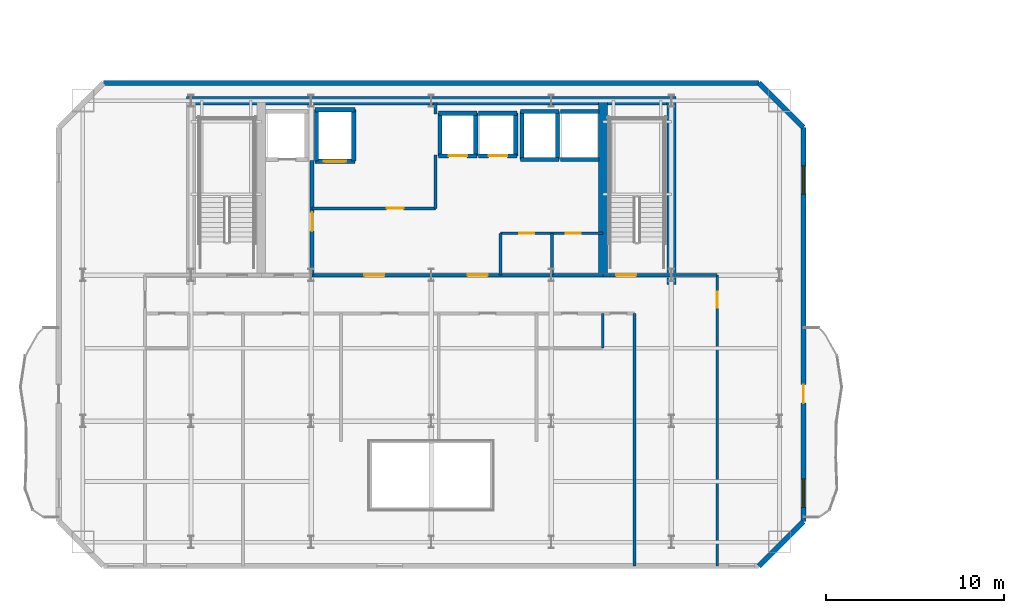
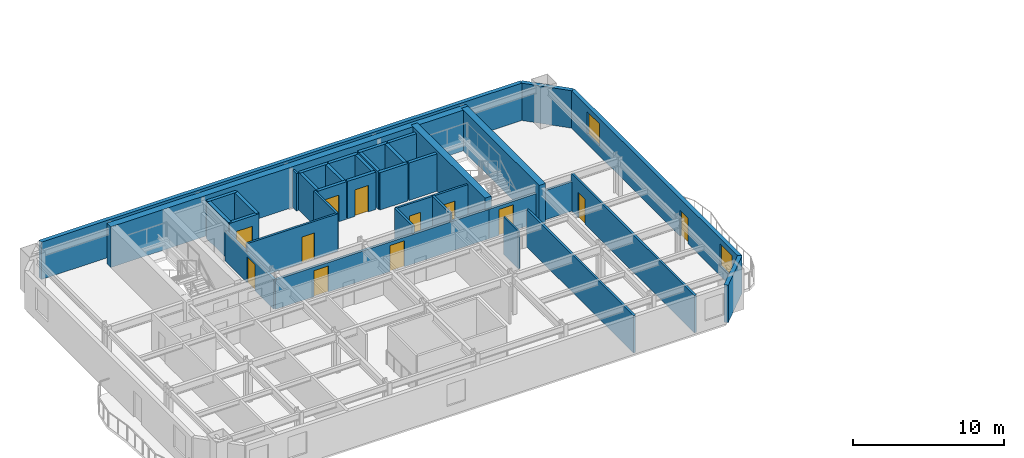
# One storey, part 6 of 13: 37 walls, 12 doors, 2 windows, 14 openings.
"""IFC4 building model written with IfcOpenShell, lengths in metres."""

from ifc_helpers import new_model, si_unit, direction, frame, frame_2d, origin, place, context, subcontext, project, spatial, rectangle, extrude, material, layer, layer_set, type_object, element, fill, save


model = new_model("IFC4")

# Units and contexts
model_context = context("Model", 3, precision=1e-05, world=origin(), true_north=direction((0.0, 1.0)))
body_context = subcontext(model_context, "Body", "Model", "MODEL_VIEW")
ifc_project = project(units=[si_unit("LENGTHUNIT", "METRE"), si_unit("AREAUNIT", "SQUARE_METRE"), si_unit("VOLUMEUNIT", "CUBIC_METRE"), si_unit("PLANEANGLEUNIT", "RADIAN"), si_unit("MASSUNIT", "GRAM", prefix="KILO")], contexts=[model_context])

# Site, building, storey
site_placement = place(None, origin())
site = spatial("IfcSite", under=ifc_project, at=site_placement, CompositionType="ELEMENT")
building_placement = place(site_placement, origin())
building = spatial("IfcBuilding", under=site, at=building_placement, Name="Haevon Station Towers", CompositionType="ELEMENT")
storey_placement = place(building_placement, frame((0.0, 0.0, 159.300048828125)))
storey = spatial("IfcBuildingStorey", under=building, at=storey_placement, Name="L43", CompositionType="ELEMENT", Elevation=159.300048828125)

# Wall
ifc_material_1 = material(Name="Gypsum board on steel stud", Category="steel")
ifc_layer_1 = layer(ifc_material_1, 0.179931640625)
ifc_layer_set_1 = layer_set([ifc_layer_1], Name="Gypsum board on steel stud")
wall_type_1 = type_object("IfcWallType", Name="WL-ACU180", PredefinedType="PARTITIONING", material=ifc_layer_set_1)
wall_1_placement = place(storey_placement, frame((51.0, 38.199951171875, 0.0), z_axis=(0.0, 0.0, 1.0), x_axis=(1.0, 0.0, 0.0)))
element("IfcWall", 1, at=wall_1_placement, inside=storey, type_object=wall_type_1, Name="WL-T1PT-L43-03", PredefinedType="PARTITIONING", context=body_context, shape_type="SweptSolid", body=[
    extrude(rectangle(XDim=2.574951171875, YDim=0.179931640625, at=frame_2d((1.28759765625, 0.0))), origin(), (0.0, 0.0, 1.0), 2.3798828125),
])

# Wall, opening, door
ifc_layer_2 = layer(ifc_material_1, 0.199951171875)
ifc_layer_set_2 = layer_set([ifc_layer_2], Name="Gypsum board on steel stud")
wall_type_2 = type_object("IfcWallType", Name="WL-COR200", PredefinedType="PARTITIONING", material=ifc_layer_set_2)
wall_2_placement = place(storey_placement, frame((47.14990234375, 38.199951171875, 0.0), z_axis=(0.0, 0.0, 1.0), x_axis=(1.0, 0.0, 0.0)))
wall_2 = element("IfcWall", 2, at=wall_2_placement, inside=storey, type_object=wall_type_2, Name="WL-ST-ST2-L43", PredefinedType="PARTITIONING", context=body_context, shape_type="SweptSolid", body=[
    extrude(rectangle(XDim=3.85009765625, YDim=0.199951171875, at=frame_2d((1.925048828125, 0.0))), origin(), (0.0, 0.0, 1.0), 2.3798828125),
])
opening_1_placement = place(wall_2_placement, frame((0.75, 0.0, 0.0)))
opening_1 = element("IfcOpeningElement", 3, at=opening_1_placement, cuts=wall_2, Name="Opening DR-ST-ST2-L43", PredefinedType="OPENING", context=body_context, shape_type="SweptSolid", body=[
    extrude(rectangle(XDim=1.1201171875, YDim=2.10009765625, at=frame_2d((0.56005859375, 1.050048828125))), frame((0.0, 0.10986328125, 0.0), z_axis=(0.0, -1.0, 0.0), x_axis=(1.0, 0.0, 0.0)), (0.0, 0.0, 1.0), 0.219970703125),
])
ifc_material_2 = material(Name="Engineered oak timber", Category="wood")
door_type_1 = type_object("IfcDoorType", Name="DR-ST-1120", OperationType="NOTDEFINED", PredefinedType="DOOR", material=ifc_material_2)
door_1_placement = place(opening_1_placement, origin())
door_1 = element("IfcDoor", 4, at=door_1_placement, inside=storey, type_object=door_type_1, Name="L43 Escape Stair ST2 Fire Door", OperationType="SINGLE_SWING_RIGHT", OverallHeight=2.10009765625, OverallWidth=1.1201171875, PredefinedType="DOOR", context=body_context, shape_type="SweptSolid", body=[
    extrude(rectangle(XDim=1.1201171875, YDim=2.10009765625, at=frame_2d((0.56005859375, 1.050048828125))), frame((0.0, 0.02490234375, 0.0), z_axis=(0.0, -1.0, 0.0), x_axis=(1.0, 0.0, 0.0)), (0.0, 0.0, 1.0), 0.050048828125),
])
fill(opening_1, door_1)

wall_3_placement = place(storey_placement, frame((30.800048828125, 38.199951171875, 0.0), z_axis=(0.0, 0.0, 1.0), x_axis=(0.0, 1.0, 0.0)))
wall_3 = element("IfcWall", 5, at=wall_3_placement, inside=storey, type_object=wall_type_2, Name="WL-T1FFL-L43-E", PredefinedType="PARTITIONING", context=body_context, shape_type="SweptSolid", body=[
    extrude(rectangle(XDim=6.449951171875, YDim=0.199951171875, at=frame_2d((3.22509765625, 0.0))), origin(), (0.0, 0.0, 1.0), 2.3798828125),
])
opening_2_placement = place(wall_3_placement, frame((2.469970703125, 0.0, 0.0)))
opening_2 = element("IfcOpeningElement", 6, at=opening_2_placement, cuts=wall_3, Name="Opening DR-T1FFL-L43-E", PredefinedType="OPENING", context=body_context, shape_type="SweptSolid", body=[
    extrude(rectangle(XDim=1.050048828125, YDim=2.10009765625, at=frame_2d((0.52490234375, 1.050048828125))), frame((0.0, 0.10986328125, 0.0), z_axis=(0.0, -1.0, 0.0), x_axis=(1.0, 0.0, 0.0)), (0.0, 0.0, 1.0), 0.219970703125),
])
door_type_2 = type_object("IfcDoorType", Name="DR-FD60-1050", OperationType="NOTDEFINED", PredefinedType="DOOR", material=ifc_material_2)
door_2_placement = place(opening_2_placement, origin())
door_2 = element("IfcDoor", 7, at=door_2_placement, inside=storey, type_object=door_type_2, Name="L43 Tower 1 Firefighting Lift Lobby Door E", OperationType="SINGLE_SWING_LEFT", OverallHeight=2.10009765625, OverallWidth=1.050048828125, PredefinedType="DOOR", context=body_context, shape_type="SweptSolid", body=[
    extrude(rectangle(XDim=1.050048828125, YDim=2.10009765625, at=frame_2d((0.52490234375, 1.050048828125))), frame((0.0, 0.02490234375, 0.0), z_axis=(0.0, -1.0, 0.0), x_axis=(1.0, 0.0, 0.0)), (0.0, 0.0, 1.0), 0.050048828125),
])
fill(opening_2, door_2)

# Wall, openings, doors
wall_4_placement = place(storey_placement, frame((30.800048828125, 38.199951171875, 0.0), z_axis=(0.0, 0.0, 1.0), x_axis=(1.0, 0.0, 0.0)))
wall_4 = element("IfcWall", 8, at=wall_4_placement, inside=storey, type_object=wall_type_2, Name="WL-T1CLB-L43", PredefinedType="PARTITIONING", context=body_context, shape_type="SweptSolid", body=[
    extrude(rectangle(XDim=16.349853515625, YDim=0.199951171875, at=frame_2d((8.1748046875, 0.0))), origin(), (0.0, 0.0, 1.0), 2.3798828125),
])
opening_3_placement = place(wall_4_placement, frame((2.949951171875, 0.0, 0.0)))
opening_3 = element("IfcOpeningElement", 9, at=opening_3_placement, cuts=wall_4, Name="Opening DR-T1CLB-L43-1", PredefinedType="OPENING", context=body_context, shape_type="SweptSolid", body=[
    extrude(rectangle(XDim=1.1201171875, YDim=2.10009765625, at=frame_2d((0.56005859375, 1.050048828125))), frame((0.0, 0.10986328125, 0.0), z_axis=(0.0, -1.0, 0.0), x_axis=(1.0, 0.0, 0.0)), (0.0, 0.0, 1.0), 0.219970703125),
])
opening_4_placement = place(wall_4_placement, frame((8.75, 0.0, 0.0)))
opening_4 = element("IfcOpeningElement", 10, at=opening_4_placement, cuts=wall_4, Name="Opening DR-T1CLB-L43-2", PredefinedType="OPENING", context=body_context, shape_type="SweptSolid", body=[
    extrude(rectangle(XDim=1.1201171875, YDim=2.10009765625, at=frame_2d((0.56005859375, 1.050048828125))), frame((0.0, 0.10986328125, 0.0), z_axis=(0.0, -1.0, 0.0), x_axis=(1.0, 0.0, 0.0)), (0.0, 0.0, 1.0), 0.219970703125),
])
door_3_placement = place(opening_3_placement, origin())
door_3 = element("IfcDoor", 11, at=door_3_placement, inside=storey, type_object=door_type_1, Name="L43 Tower 1 Core Lift Lobby Door 1", OperationType="SINGLE_SWING_LEFT", OverallHeight=2.10009765625, OverallWidth=1.1201171875, PredefinedType="DOOR", context=body_context, shape_type="SweptSolid", body=[
    extrude(rectangle(XDim=1.1201171875, YDim=2.10009765625, at=frame_2d((0.56005859375, 1.050048828125))), frame((0.0, 0.02490234375, 0.0), z_axis=(0.0, -1.0, 0.0), x_axis=(1.0, 0.0, 0.0)), (0.0, 0.0, 1.0), 0.050048828125),
])
fill(opening_3, door_3)
door_4_placement = place(opening_4_placement, origin())
door_4 = element("IfcDoor", 12, at=door_4_placement, inside=storey, type_object=door_type_1, Name="L43 Tower 1 Core Lift Lobby Door 2", OperationType="SINGLE_SWING_RIGHT", OverallHeight=2.10009765625, OverallWidth=1.1201171875, PredefinedType="DOOR", context=body_context, shape_type="SweptSolid", body=[
    extrude(rectangle(XDim=1.1201171875, YDim=2.10009765625, at=frame_2d((0.56005859375, 1.050048828125))), frame((0.0, 0.02490234375, 0.0), z_axis=(0.0, -1.0, 0.0), x_axis=(1.0, 0.0, 0.0)), (0.0, 0.0, 1.0), 0.050048828125),
])
fill(opening_4, door_4)

# Walls
ifc_material_3 = material(Name="Concrete C60/75", Category="concrete")
ifc_layer_3 = layer(ifc_material_3, 0.5)
ifc_layer_set_3 = layer_set([ifc_layer_3], Name="Concrete C60/75")
wall_type_3 = type_object("IfcWallType", Name="WL-CR500", PredefinedType="SHEAR", material=ifc_layer_set_3)
wall_5_placement = place(storey_placement, frame((23.75, 48.0, 0.0), z_axis=(0.0, 0.0, 1.0), x_axis=(1.0, 0.0, 0.0)))
element("IfcWall", 13, at=wall_5_placement, inside=storey, type_object=wall_type_3, Name="WL-T1CR-L43-N", PredefinedType="SHEAR", context=body_context, shape_type="SweptSolid", body=[
    extrude(rectangle(XDim=27.5, YDim=0.5, at=frame_2d((13.75, 0.0))), origin(), (0.0, 0.0, 1.0), 3.300048828125),
])
wall_6_placement = place(storey_placement, frame((51.0, 37.679931640625, 0.0), z_axis=(0.0, 0.0, 1.0), x_axis=(0.0, 1.0, 0.0)))
element("IfcWall", 14, at=wall_6_placement, inside=storey, type_object=wall_type_3, Name="WL-T1CR-L43-E", PredefinedType="SHEAR", context=body_context, shape_type="SweptSolid", body=[
    extrude(rectangle(XDim=10.320068359375, YDim=0.5, at=frame_2d((5.16015625, 0.0))), origin(), (0.0, 0.0, 1.0), 3.300048828125),
])
wall_7_placement = place(storey_placement, frame((47.14990234375, 38.199951171875, 0.0), z_axis=(0.0, 0.0, 1.0), x_axis=(0.0, 1.0, 0.0)))
element("IfcWall", 15, at=wall_7_placement, inside=storey, type_object=wall_type_3, Name="WL-T1CR-L43-M2", PredefinedType="SHEAR", context=body_context, shape_type="SweptSolid", body=[
    extrude(rectangle(XDim=9.800048828125, YDim=0.5, at=frame_2d((4.89990234375, 0.0))), origin(), (0.0, 0.0, 1.0), 3.300048828125),
])
ifc_material_4 = material(Name="Precast concrete C45/55", Category="concrete")
ifc_layer_4 = layer(ifc_material_4, 0.300048828125)
ifc_layer_set_4 = layer_set([ifc_layer_4], Name="Precast concrete C45/55")
wall_type_4 = type_object("IfcWallType", Name="WL-EXT-PIER300", PredefinedType="SOLIDWALL", material=ifc_layer_set_4)
wall_8_placement = place(storey_placement, frame((19.074951171875, 49.0, 0.0), z_axis=(0.0, 0.0, 1.0), x_axis=(1.0, 0.0, 0.0)))
element("IfcWall", 16, at=wall_8_placement, inside=storey, type_object=wall_type_4, Name="WL-T1-L43-N", PredefinedType="SOLIDWALL", context=body_context, shape_type="SweptSolid", body=[
    extrude(rectangle(XDim=36.85009765625, YDim=0.300048828125, at=frame_2d((18.425048828125, 0.0))), origin(), (0.0, 0.0, 1.0), 3.030029296875),
])
wall_9_placement = place(storey_placement, frame((55.925048828125, 49.0, 0.0), z_axis=(0.0, 0.0, 1.0), x_axis=(0.707106781187, -0.707106781187, 0.0)))
element("IfcWall", 17, at=wall_9_placement, inside=storey, type_object=wall_type_4, Name="WL-T1-L43-NEC", PredefinedType="SOLIDWALL", context=body_context, shape_type="SweptSolid", body=[
    extrude(rectangle(XDim=3.53564453125, YDim=0.300048828125, at=frame_2d((1.767822265625, 0.0))), origin(), (0.0, 0.0, 1.0), 3.030029296875),
])

# Wall, openings, door, windows
wall_10_placement = place(storey_placement, frame((58.425048828125, 46.5, 0.0), z_axis=(0.0, 0.0, 1.0), x_axis=(0.0, -1.0, 0.0)))
wall_10 = element("IfcWall", 18, at=wall_10_placement, inside=storey, type_object=wall_type_4, Name="WL-T1-L43-E", PredefinedType="SOLIDWALL", context=body_context, shape_type="SweptSolid", body=[
    extrude(rectangle(XDim=22.14990234375, YDim=0.300048828125, at=frame_2d((11.074951171875, 0.0))), origin(), (0.0, 0.0, 1.0), 3.030029296875),
])
opening_5_placement = place(wall_10_placement, frame((14.449951171875, 0.0, 0.0)))
opening_5 = element("IfcOpeningElement", 19, at=opening_5_placement, cuts=wall_10, Name="Opening DR-T1-SCAL-L43-E", PredefinedType="OPENING", context=body_context, shape_type="SweptSolid", body=[
    extrude(rectangle(XDim=1.050048828125, YDim=2.10009765625, at=frame_2d((0.52490234375, 1.050048828125))), frame((0.0, 0.159912109375, 0.0), z_axis=(0.0, -1.0, 0.0), x_axis=(1.0, 0.0, 0.0)), (0.0, 0.0, 1.0), 0.320068359375),
])
opening_6_placement = place(wall_10_placement, frame((2.153564453125, 0.0, 0.800048828125)))
opening_6 = element("IfcOpeningElement", 20, at=opening_6_placement, cuts=wall_10, Name="Opening WN-END160", PredefinedType="OPENING", context=body_context, shape_type="SweptSolid", body=[
    extrude(rectangle(XDim=1.60009765625, YDim=1.800048828125, at=frame_2d((0.800048828125, 0.89990234375))), frame((0.0, 0.159912109375, 0.0), z_axis=(0.0, -1.0, 0.0), x_axis=(1.0, 0.0, 0.0)), (0.0, 0.0, 1.0), 0.320068359375),
])
opening_7_placement = place(wall_10_placement, frame((19.75, 0.0, 0.800048828125)))
opening_7 = element("IfcOpeningElement", 21, at=opening_7_placement, cuts=wall_10, Name="Opening WN-END160", PredefinedType="OPENING", context=body_context, shape_type="SweptSolid", body=[
    extrude(rectangle(XDim=1.60009765625, YDim=1.800048828125, at=frame_2d((0.800048828125, 0.89990234375))), frame((0.0, 0.159912109375, 0.0), z_axis=(0.0, -1.0, 0.0), x_axis=(1.0, 0.0, 0.0)), (0.0, 0.0, 1.0), 0.320068359375),
])
ifc_material_5 = material(Name="Thermally broken anodised aluminium and laminated safety glass", Category="aluminium")
door_type_3 = type_object("IfcDoorType", Name="DR-BALC-1050", OperationType="NOTDEFINED", PredefinedType="DOOR", material=ifc_material_5)
door_5_placement = place(opening_5_placement, origin())
door_5 = element("IfcDoor", 22, at=door_5_placement, inside=storey, type_object=door_type_3, Name="Tower 1 L43 East Scalloped Balcony Door", OperationType="SINGLE_SWING_RIGHT", OverallHeight=2.10009765625, OverallWidth=1.050048828125, PredefinedType="DOOR", context=body_context, shape_type="SweptSolid", body=[
    extrude(rectangle(XDim=1.050048828125, YDim=2.10009765625, at=frame_2d((0.52490234375, 1.050048828125))), frame((0.0, 0.02490234375, 0.0), z_axis=(0.0, -1.0, 0.0), x_axis=(1.0, 0.0, 0.0)), (0.0, 0.0, 1.0), 0.050048828125),
])
fill(opening_5, door_5)
ifc_material_6 = material(Name="Low-E triple glazing in thermally broken aluminium", Category="aluminium")
window_type = type_object("IfcWindowType", Name="WN-END160", PartitioningType="SINGLE_PANEL", PredefinedType="WINDOW", material=ifc_material_6)
window_1_placement = place(opening_6_placement, origin())
window_1 = element("IfcWindow", 23, at=window_1_placement, inside=storey, type_object=window_type, Name="WN-T1-L43-E01", OverallHeight=1.800048828125, OverallWidth=1.60009765625, PartitioningType="SINGLE_PANEL", PredefinedType="WINDOW", context=body_context, shape_type="SweptSolid", body=[
    extrude(rectangle(XDim=1.60009765625, YDim=1.800048828125, at=frame_2d((0.800048828125, 0.89990234375))), frame((0.0, 0.030029296875, 0.0), z_axis=(0.0, -1.0, 0.0), x_axis=(1.0, 0.0, 0.0)), (0.0, 0.0, 1.0), 0.06005859375),
])
fill(opening_6, window_1)
window_2_placement = place(opening_7_placement, origin())
window_2 = element("IfcWindow", 24, at=window_2_placement, inside=storey, type_object=window_type, Name="WN-T1-L43-E02", OverallHeight=1.800048828125, OverallWidth=1.60009765625, PartitioningType="SINGLE_PANEL", PredefinedType="WINDOW", context=body_context, shape_type="SweptSolid", body=[
    extrude(rectangle(XDim=1.60009765625, YDim=1.800048828125, at=frame_2d((0.800048828125, 0.89990234375))), frame((0.0, 0.030029296875, 0.0), z_axis=(0.0, -1.0, 0.0), x_axis=(1.0, 0.0, 0.0)), (0.0, 0.0, 1.0), 0.06005859375),
])
fill(opening_7, window_2)

# Walls
wall_11_placement = place(storey_placement, frame((58.425048828125, 24.35009765625, 0.0), z_axis=(0.0, 0.0, 1.0), x_axis=(-0.707106781187, -0.707106781187, 0.0)))
element("IfcWall", 25, at=wall_11_placement, inside=storey, type_object=wall_type_4, Name="WL-T1-L43-SEC", PredefinedType="SOLIDWALL", context=body_context, shape_type="SweptSolid", body=[
    extrude(rectangle(XDim=3.53564453125, YDim=0.300048828125, at=frame_2d((1.767822265625, 0.0))), origin(), (0.0, 0.0, 1.0), 3.030029296875),
])
ifc_layer_5 = layer(ifc_material_1, 0.125)
ifc_layer_set_5 = layer_set([ifc_layer_5], Name="Gypsum board on steel stud")
wall_type_5 = type_object("IfcWallType", Name="WL-PRT125", PredefinedType="PARTITIONING", material=ifc_layer_set_5)
wall_12_placement = place(storey_placement, frame((47.139892578125, 34.10009765625, 0.0), z_axis=(0.0, 0.0, 1.0), x_axis=(0.0, 1.0, 0.0)))
element("IfcWall", 26, at=wall_12_placement, inside=storey, type_object=wall_type_5, Name="WL-T1PT-L43-19", PredefinedType="PARTITIONING", context=body_context, shape_type="SweptSolid", body=[
    extrude(rectangle(XDim=1.949951171875, YDim=0.125, at=frame_2d((0.97509765625, 0.0))), origin(), (0.0, 0.0, 1.0), 3.030029296875),
])

# Wall, opening, door
ifc_layer_6 = layer(ifc_material_1, 0.159912109375)
ifc_layer_set_6 = layer_set([ifc_layer_6], Name="Gypsum board on steel stud")
wall_type_6 = type_object("IfcWallType", Name="WL-PRT160", PredefinedType="PARTITIONING", material=ifc_layer_set_6)
wall_13_placement = place(storey_placement, frame((30.800048828125, 41.949951171875, 0.0), z_axis=(0.0, 0.0, 1.0), x_axis=(1.0, 0.0, 0.0)))
wall_13 = element("IfcWall", 27, at=wall_13_placement, inside=storey, type_object=wall_type_6, Name="WL-T1CW-L43-01", PredefinedType="PARTITIONING", context=body_context, shape_type="SweptSolid", body=[
    extrude(rectangle(XDim=6.949951171875, YDim=0.159912109375, at=frame_2d((3.47509765625, 0.0))), origin(), (0.0, 0.0, 1.0), 3.030029296875),
])
opening_8_placement = place(wall_13_placement, frame((4.199951171875, 0.0, 0.0)))
opening_8 = element("IfcOpeningElement", 28, at=opening_8_placement, cuts=wall_13, Name="Opening DR-WL-T1CW-L43-01-1", PredefinedType="OPENING", context=body_context, shape_type="SweptSolid", body=[
    extrude(rectangle(XDim=0.949951171875, YDim=2.10009765625, at=frame_2d((0.47509765625, 1.050048828125))), frame((0.0, 0.08984375, 0.0), z_axis=(0.0, -1.0, 0.0), x_axis=(1.0, 0.0, 0.0)), (0.0, 0.0, 1.0), 0.179931640625),
])
door_type_4 = type_object("IfcDoorType", Name="DR-FD60-950", OperationType="NOTDEFINED", PredefinedType="DOOR", material=ifc_material_2)
door_6_placement = place(opening_8_placement, origin())
door_6 = element("IfcDoor", 29, at=door_6_placement, inside=storey, type_object=door_type_4, Name="L43 Tower 1 Core Room Door 1-1", OperationType="SINGLE_SWING_LEFT", OverallHeight=2.10009765625, OverallWidth=0.949951171875, PredefinedType="DOOR", context=body_context, shape_type="SweptSolid", body=[
    extrude(rectangle(XDim=0.949951171875, YDim=2.10009765625, at=frame_2d((0.47509765625, 1.050048828125))), frame((0.0, 0.02490234375, 0.0), z_axis=(0.0, -1.0, 0.0), x_axis=(1.0, 0.0, 0.0)), (0.0, 0.0, 1.0), 0.050048828125),
])
fill(opening_8, door_6)

# Walls
wall_14_placement = place(storey_placement, frame((37.75, 41.949951171875, 0.0), z_axis=(0.0, 0.0, 1.0), x_axis=(0.0, 1.0, 0.0)))
element("IfcWall", 30, at=wall_14_placement, inside=storey, type_object=wall_type_6, Name="WL-T1CW-L43-02", PredefinedType="PARTITIONING", context=body_context, shape_type="SweptSolid", body=[
    extrude(rectangle(XDim=3.0, YDim=0.159912109375, at=frame_2d((1.5, 0.0))), origin(), (0.0, 0.0, 1.0), 3.030029296875),
])
wall_15_placement = place(storey_placement, frame((37.75, 47.25, 0.0), z_axis=(0.0, 0.0, 1.0), x_axis=(0.0, 1.0, 0.0)))
element("IfcWall", 31, at=wall_15_placement, inside=storey, type_object=wall_type_6, Name="WL-T1CW-L43-03", PredefinedType="PARTITIONING", context=body_context, shape_type="SweptSolid", body=[
    extrude(rectangle(XDim=0.64990234375, YDim=0.159912109375, at=frame_2d((0.324951171875, 0.0))), origin(), (0.0, 0.0, 1.0), 3.030029296875),
])
for number, where, z_axis, x_axis, name in (
    (32, (41.39990234375, 38.199951171875, 0.0), (0.0, 0.0, 1.0), (0.0, 1.0, 0.0), "WL-T1CW-L43-04"),
    (33, (44.280029296875, 38.199951171875, 0.0), (0.0, 0.0, 1.0), (0.0, 1.0, 0.0), "WL-T1CW-L43-05"),
):
    element("IfcWall", number, at=place(storey_placement, frame(where, z_axis=z_axis, x_axis=x_axis)), inside=storey, type_object=wall_type_6, Name=name, PredefinedType="PARTITIONING", context=body_context, shape_type="SweptSolid", body=[
        extrude(rectangle(XDim=2.35009765625, YDim=0.159912109375, at=frame_2d((1.175048828125, 0.0))), origin(), (0.0, 0.0, 1.0), 3.030029296875),
    ])

# Wall, openings, doors
wall_16_placement = place(storey_placement, frame((41.39990234375, 40.550048828125, 0.0), z_axis=(0.0, 0.0, 1.0), x_axis=(1.0, 0.0, 0.0)))
wall_16 = element("IfcWall", 34, at=wall_16_placement, inside=storey, type_object=wall_type_6, Name="WL-T1CW-L43-06", PredefinedType="PARTITIONING", context=body_context, shape_type="SweptSolid", body=[
    extrude(rectangle(XDim=5.75, YDim=0.159912109375, at=frame_2d((2.875, 0.0))), origin(), (0.0, 0.0, 1.0), 3.030029296875),
])
opening_9_placement = place(wall_16_placement, frame((1.034912109375, 0.0, 0.0)))
opening_9 = element("IfcOpeningElement", 35, at=opening_9_placement, cuts=wall_16, Name="Opening DR-WL-T1CW-L43-06-1", PredefinedType="OPENING", context=body_context, shape_type="SweptSolid", body=[
    extrude(rectangle(XDim=0.85009765625, YDim=2.050048828125, at=frame_2d((0.425048828125, 1.02490234375))), frame((0.0, 0.08984375, 0.0), z_axis=(0.0, -1.0, 0.0), x_axis=(1.0, 0.0, 0.0)), (0.0, 0.0, 1.0), 0.179931640625),
])
opening_10_placement = place(wall_16_placement, frame((3.655029296875, 0.0, 0.0)))
opening_10 = element("IfcOpeningElement", 36, at=opening_10_placement, cuts=wall_16, Name="Opening DR-WL-T1CW-L43-06-2", PredefinedType="OPENING", context=body_context, shape_type="SweptSolid", body=[
    extrude(rectangle(XDim=0.85009765625, YDim=2.050048828125, at=frame_2d((0.425048828125, 1.02490234375))), frame((0.0, 0.08984375, 0.0), z_axis=(0.0, -1.0, 0.0), x_axis=(1.0, 0.0, 0.0)), (0.0, 0.0, 1.0), 0.179931640625),
])
door_type_5 = type_object("IfcDoorType", Name="DR-FD30-850", OperationType="NOTDEFINED", PredefinedType="DOOR", material=ifc_material_2)
door_7_placement = place(opening_9_placement, origin())
door_7 = element("IfcDoor", 37, at=door_7_placement, inside=storey, type_object=door_type_5, Name="L43 Tower 1 Core Room Door 6-1", OperationType="SINGLE_SWING_RIGHT", OverallHeight=2.050048828125, OverallWidth=0.85009765625, PredefinedType="DOOR", context=body_context, shape_type="SweptSolid", body=[
    extrude(rectangle(XDim=0.85009765625, YDim=2.050048828125, at=frame_2d((0.425048828125, 1.02490234375))), frame((0.0, 0.02490234375, 0.0), z_axis=(0.0, -1.0, 0.0), x_axis=(1.0, 0.0, 0.0)), (0.0, 0.0, 1.0), 0.050048828125),
])
fill(opening_9, door_7)
door_8_placement = place(opening_10_placement, origin())
door_8 = element("IfcDoor", 38, at=door_8_placement, inside=storey, type_object=door_type_5, Name="L43 Tower 1 Core Room Door 6-2", OperationType="SINGLE_SWING_LEFT", OverallHeight=2.050048828125, OverallWidth=0.85009765625, PredefinedType="DOOR", context=body_context, shape_type="SweptSolid", body=[
    extrude(rectangle(XDim=0.85009765625, YDim=2.050048828125, at=frame_2d((0.425048828125, 1.02490234375))), frame((0.0, 0.02490234375, 0.0), z_axis=(0.0, -1.0, 0.0), x_axis=(1.0, 0.0, 0.0)), (0.0, 0.0, 1.0), 0.050048828125),
])
fill(opening_10, door_8)

# Wall
wall_17_placement = place(storey_placement, frame((48.919921875, 21.85009765625, 0.0), z_axis=(0.0, 0.0, 1.0), x_axis=(0.0, 1.0, 0.0)))
element("IfcWall", 39, at=wall_17_placement, inside=storey, type_object=wall_type_6, Name="WL-T1PT-L43-01", PredefinedType="PARTITIONING", context=body_context, shape_type="SweptSolid", body=[
    extrude(rectangle(XDim=14.199951171875, YDim=0.159912109375, at=frame_2d((7.10009765625, 0.0))), origin(), (0.0, 0.0, 1.0), 3.030029296875),
])

# Wall, opening, door
wall_18_placement = place(storey_placement, frame((53.574951171875, 21.85009765625, 0.0), z_axis=(0.0, 0.0, 1.0), x_axis=(0.0, 1.0, 0.0)))
wall_18 = element("IfcWall", 40, at=wall_18_placement, inside=storey, type_object=wall_type_6, Name="WL-T1PT-L43-05", PredefinedType="PARTITIONING", context=body_context, shape_type="SweptSolid", body=[
    extrude(rectangle(XDim=16.349853515625, YDim=0.159912109375, at=frame_2d((8.1748046875, 0.0))), origin(), (0.0, 0.0, 1.0), 3.030029296875),
])
opening_11_placement = place(wall_18_placement, frame((14.52001953125, 0.0, 0.0)))
opening_11 = element("IfcOpeningElement", 41, at=opening_11_placement, cuts=wall_18, Name="Opening DR-WL-T1PT-L43-05-01", PredefinedType="OPENING", context=body_context, shape_type="SweptSolid", body=[
    extrude(rectangle(XDim=0.89990234375, YDim=2.050048828125, at=frame_2d((0.449951171875, 1.02490234375))), frame((0.0, 0.08984375, 0.0), z_axis=(0.0, -1.0, 0.0), x_axis=(1.0, 0.0, 0.0)), (0.0, 0.0, 1.0), 0.179931640625),
])
door_type_6 = type_object("IfcDoorType", Name="DR-INT-900", OperationType="NOTDEFINED", PredefinedType="DOOR", material=ifc_material_2)
door_9_placement = place(opening_11_placement, origin())
door_9 = element("IfcDoor", 42, at=door_9_placement, inside=storey, type_object=door_type_6, Name="L43 Tower 1 Room Door 5-1", OperationType="SINGLE_SWING_LEFT", OverallHeight=2.050048828125, OverallWidth=0.89990234375, PredefinedType="DOOR", context=body_context, shape_type="SweptSolid", body=[
    extrude(rectangle(XDim=0.89990234375, YDim=2.050048828125, at=frame_2d((0.449951171875, 1.02490234375))), frame((0.0, 0.02490234375, 0.0), z_axis=(0.0, -1.0, 0.0), x_axis=(1.0, 0.0, 0.0)), (0.0, 0.0, 1.0), 0.050048828125),
])
fill(opening_11, door_9)

ifc_material_7 = material(Name="Concrete C40/50", Category="concrete")
ifc_layer_7 = layer(ifc_material_7, 0.239990234375)
ifc_layer_set_7 = layer_set([ifc_layer_7], Name="Concrete C40/50")
wall_type_7 = type_object("IfcWallType", Name="WL-SHF240", PredefinedType="PARTITIONING", material=ifc_layer_set_7)
wall_19_placement = place(storey_placement, frame((30.969970703125, 44.60009765625, 0.0), z_axis=(0.0, 0.0, 1.0), x_axis=(1.0, 0.0, 0.0)))
wall_19 = element("IfcWall", 43, at=wall_19_placement, inside=storey, type_object=wall_type_7, Name="WL-SHF-SL1-L43", PredefinedType="PARTITIONING", context=body_context, shape_type="SweptSolid", body=[
    extrude(rectangle(XDim=2.260009765625, YDim=0.239990234375, at=frame_2d((1.1298828125, 0.0))), origin(), (0.0, 0.0, 1.0), 3.030029296875),
])
opening_12_placement = place(wall_19_placement, frame((0.5048828125, 0.0, 0.0)))
opening_12 = element("IfcOpeningElement", 44, at=opening_12_placement, cuts=wall_19, Name="Opening LD-SL1-L43", PredefinedType="OPENING", context=body_context, shape_type="SweptSolid", body=[
    extrude(rectangle(XDim=1.25, YDim=2.199951171875, at=frame_2d((0.625, 1.10009765625))), frame((0.0, 0.1298828125, 0.0), z_axis=(0.0, -1.0, 0.0), x_axis=(1.0, 0.0, 0.0)), (0.0, 0.0, 1.0), 0.260009765625),
])
ifc_material_8 = material(Name="Stainless steel and rated core", Category="steel")
door_type_7 = type_object("IfcDoorType", Name="LD-SL1250", OperationType="SLIDING_TO_LEFT", PredefinedType="DOOR", material=ifc_material_8)
door_10_placement = place(opening_12_placement, origin())
door_10 = element("IfcDoor", 45, at=door_10_placement, inside=storey, type_object=door_type_7, Name="L43 Lift SL1 Sliding Landing Door", OperationType="SLIDING_TO_LEFT", OverallHeight=2.199951171875, OverallWidth=1.25, PredefinedType="DOOR", context=body_context, shape_type="SweptSolid", body=[
    extrude(rectangle(XDim=1.25, YDim=2.199951171875, at=frame_2d((0.625, 1.10009765625))), frame((0.0, 0.02490234375, 0.0), z_axis=(0.0, -1.0, 0.0), x_axis=(1.0, 0.0, 0.0)), (0.0, 0.0, 1.0), 0.050048828125),
])
fill(opening_12, door_10)

# Walls
wall_20_placement = place(storey_placement, frame((30.969970703125, 47.5, 0.0), z_axis=(0.0, 0.0, 1.0), x_axis=(1.0, 0.0, 0.0)))
element("IfcWall", 46, at=wall_20_placement, inside=storey, type_object=wall_type_7, Name="WL-SHF-SL1-L43-N", PredefinedType="PARTITIONING", context=body_context, shape_type="SweptSolid", body=[
    extrude(rectangle(XDim=2.260009765625, YDim=0.239990234375, at=frame_2d((1.1298828125, 0.0))), origin(), (0.0, 0.0, 1.0), 3.030029296875),
])
for number, where, z_axis, x_axis, name in (
    (47, (31.050048828125, 44.60009765625, 0.0), (0.0, 0.0, 1.0), (0.0, 1.0, 0.0), "WL-SHF-SL1-L43-W"),
    (48, (33.14990234375, 44.60009765625, 0.0), (0.0, 0.0, 1.0), (0.0, 1.0, 0.0), "WL-SHF-SL1-L43-E"),
):
    element("IfcWall", number, at=place(storey_placement, frame(where, z_axis=z_axis, x_axis=x_axis)), inside=storey, type_object=wall_type_7, Name=name, PredefinedType="PARTITIONING", context=body_context, shape_type="SweptSolid", body=[
        extrude(rectangle(XDim=2.89990234375, YDim=0.239990234375, at=frame_2d((1.449951171875, 0.0))), origin(), (0.0, 0.0, 1.0), 3.030029296875),
    ])

# Wall, opening, door
wall_21_placement = place(storey_placement, frame((37.919921875, 44.89990234375, 0.0), z_axis=(0.0, 0.0, 1.0), x_axis=(1.0, 0.0, 0.0)))
wall_21 = element("IfcWall", 49, at=wall_21_placement, inside=storey, type_object=wall_type_7, Name="WL-SHF-PL3-L43", PredefinedType="PARTITIONING", context=body_context, shape_type="SweptSolid", body=[
    extrude(rectangle(XDim=2.16015625, YDim=0.239990234375, at=frame_2d((1.080078125, 0.0))), origin(), (0.0, 0.0, 1.0), 3.030029296875),
])
opening_13_placement = place(wall_21_placement, frame((0.554931640625, 0.0, 0.0)))
opening_13 = element("IfcOpeningElement", 50, at=opening_13_placement, cuts=wall_21, Name="Opening LD-PL3-L43", PredefinedType="OPENING", context=body_context, shape_type="SweptSolid", body=[
    extrude(rectangle(XDim=1.050048828125, YDim=2.14990234375, at=frame_2d((0.52490234375, 1.074951171875))), frame((0.0, 0.1298828125, 0.0), z_axis=(0.0, -1.0, 0.0), x_axis=(1.0, 0.0, 0.0)), (0.0, 0.0, 1.0), 0.260009765625),
])
door_type_8 = type_object("IfcDoorType", Name="LD-PL1050", OperationType="SLIDING_TO_LEFT", PredefinedType="DOOR", material=ifc_material_8)
door_11_placement = place(opening_13_placement, origin())
door_11 = element("IfcDoor", 51, at=door_11_placement, inside=storey, type_object=door_type_8, Name="L43 Lift PL3 Sliding Landing Door", OperationType="SLIDING_TO_LEFT", OverallHeight=2.14990234375, OverallWidth=1.050048828125, PredefinedType="DOOR", context=body_context, shape_type="SweptSolid", body=[
    extrude(rectangle(XDim=1.050048828125, YDim=2.14990234375, at=frame_2d((0.52490234375, 1.074951171875))), frame((0.0, 0.02490234375, 0.0), z_axis=(0.0, -1.0, 0.0), x_axis=(1.0, 0.0, 0.0)), (0.0, 0.0, 1.0), 0.050048828125),
])
fill(opening_13, door_11)

# Walls
wall_22_placement = place(storey_placement, frame((37.919921875, 47.300048828125, 0.0), z_axis=(0.0, 0.0, 1.0), x_axis=(1.0, 0.0, 0.0)))
element("IfcWall", 52, at=wall_22_placement, inside=storey, type_object=wall_type_7, Name="WL-SHF-PL3-L43-N", PredefinedType="PARTITIONING", context=body_context, shape_type="SweptSolid", body=[
    extrude(rectangle(XDim=2.16015625, YDim=0.239990234375, at=frame_2d((1.080078125, 0.0))), origin(), (0.0, 0.0, 1.0), 3.030029296875),
])
for number, where, z_axis, x_axis, name in (
    (53, (38.0, 44.89990234375, 0.0), (0.0, 0.0, 1.0), (0.0, 1.0, 0.0), "WL-SHF-PL3-L43-W"),
    (54, (40.0, 44.89990234375, 0.0), (0.0, 0.0, 1.0), (0.0, 1.0, 0.0), "WL-SHF-PL3-L43-E"),
):
    element("IfcWall", number, at=place(storey_placement, frame(where, z_axis=z_axis, x_axis=x_axis)), inside=storey, type_object=wall_type_7, Name=name, PredefinedType="PARTITIONING", context=body_context, shape_type="SweptSolid", body=[
        extrude(rectangle(XDim=2.400146484375, YDim=0.239990234375, at=frame_2d((1.2001953125, 0.0))), origin(), (0.0, 0.0, 1.0), 3.030029296875),
    ])

# Wall, opening, door
wall_23_placement = place(storey_placement, frame((40.169921875, 44.89990234375, 0.0), z_axis=(0.0, 0.0, 1.0), x_axis=(1.0, 0.0, 0.0)))
wall_23 = element("IfcWall", 55, at=wall_23_placement, inside=storey, type_object=wall_type_7, Name="WL-SHF-PL4-L43", PredefinedType="PARTITIONING", context=body_context, shape_type="SweptSolid", body=[
    extrude(rectangle(XDim=2.16015625, YDim=0.239990234375, at=frame_2d((1.080078125, 0.0))), origin(), (0.0, 0.0, 1.0), 3.030029296875),
])
opening_14_placement = place(wall_23_placement, frame((0.554931640625, 0.0, 0.0)))
opening_14 = element("IfcOpeningElement", 56, at=opening_14_placement, cuts=wall_23, Name="Opening LD-PL4-L43", PredefinedType="OPENING", context=body_context, shape_type="SweptSolid", body=[
    extrude(rectangle(XDim=1.050048828125, YDim=2.14990234375, at=frame_2d((0.52490234375, 1.074951171875))), frame((0.0, 0.1298828125, 0.0), z_axis=(0.0, -1.0, 0.0), x_axis=(1.0, 0.0, 0.0)), (0.0, 0.0, 1.0), 0.260009765625),
])
door_12_placement = place(opening_14_placement, origin())
door_12 = element("IfcDoor", 57, at=door_12_placement, inside=storey, type_object=door_type_8, Name="L43 Lift PL4 Sliding Landing Door", OperationType="SLIDING_TO_LEFT", OverallHeight=2.14990234375, OverallWidth=1.050048828125, PredefinedType="DOOR", context=body_context, shape_type="SweptSolid", body=[
    extrude(rectangle(XDim=1.050048828125, YDim=2.14990234375, at=frame_2d((0.52490234375, 1.074951171875))), frame((0.0, 0.02490234375, 0.0), z_axis=(0.0, -1.0, 0.0), x_axis=(1.0, 0.0, 0.0)), (0.0, 0.0, 1.0), 0.050048828125),
])
fill(opening_14, door_12)

# Walls
wall_24_placement = place(storey_placement, frame((40.169921875, 47.300048828125, 0.0), z_axis=(0.0, 0.0, 1.0), x_axis=(1.0, 0.0, 0.0)))
element("IfcWall", 58, at=wall_24_placement, inside=storey, type_object=wall_type_7, Name="WL-SHF-PL4-L43-N", PredefinedType="PARTITIONING", context=body_context, shape_type="SweptSolid", body=[
    extrude(rectangle(XDim=2.16015625, YDim=0.239990234375, at=frame_2d((1.080078125, 0.0))), origin(), (0.0, 0.0, 1.0), 3.030029296875),
])
wall_25_placement = place(storey_placement, frame((42.25, 44.89990234375, 0.0), z_axis=(0.0, 0.0, 1.0), x_axis=(0.0, 1.0, 0.0)))
element("IfcWall", 59, at=wall_25_placement, inside=storey, type_object=wall_type_7, Name="WL-SHF-PL4-L43-E", PredefinedType="PARTITIONING", context=body_context, shape_type="SweptSolid", body=[
    extrude(rectangle(XDim=2.400146484375, YDim=0.239990234375, at=frame_2d((1.2001953125, 0.0))), origin(), (0.0, 0.0, 1.0), 3.030029296875),
])
for number, where, z_axis, x_axis, name in (
    (60, (42.52001953125, 44.699951171875, 0.0), (0.0, 0.0, 1.0), (1.0, 0.0, 0.0), "WL-SHF-PL5-L43"),
    (61, (42.52001953125, 47.39990234375, 0.0), (0.0, 0.0, 1.0), (1.0, 0.0, 0.0), "WL-SHF-PL5-L43-N"),
):
    element("IfcWall", number, at=place(storey_placement, frame(where, z_axis=z_axis, x_axis=x_axis)), inside=storey, type_object=wall_type_7, Name=name, PredefinedType="PARTITIONING", context=body_context, shape_type="SweptSolid", body=[
        extrude(rectangle(XDim=2.159912109375, YDim=0.239990234375, at=frame_2d((1.080078125, 0.0))), origin(), (0.0, 0.0, 1.0), 3.030029296875),
    ])
for number, where, z_axis, x_axis, name in (
    (62, (42.60009765625, 44.699951171875, 0.0), (0.0, 0.0, 1.0), (0.0, 1.0, 0.0), "WL-SHF-PL5-L43-W"),
    (63, (44.60009765625, 44.699951171875, 0.0), (0.0, 0.0, 1.0), (0.0, 1.0, 0.0), "WL-SHF-PL5-L43-E"),
):
    element("IfcWall", number, at=place(storey_placement, frame(where, z_axis=z_axis, x_axis=x_axis)), inside=storey, type_object=wall_type_7, Name=name, PredefinedType="PARTITIONING", context=body_context, shape_type="SweptSolid", body=[
        extrude(rectangle(XDim=2.699951171875, YDim=0.239990234375, at=frame_2d((1.35009765625, 0.0))), origin(), (0.0, 0.0, 1.0), 3.030029296875),
    ])
for number, where, z_axis, x_axis, name in (
    (64, (44.77001953125, 44.699951171875, 0.0), (0.0, 0.0, 1.0), (1.0, 0.0, 0.0), "WL-SHF-PL6-L43"),
    (65, (44.77001953125, 47.39990234375, 0.0), (0.0, 0.0, 1.0), (1.0, 0.0, 0.0), "WL-SHF-PL6-L43-N"),
):
    element("IfcWall", number, at=place(storey_placement, frame(where, z_axis=z_axis, x_axis=x_axis)), inside=storey, type_object=wall_type_7, Name=name, PredefinedType="PARTITIONING", context=body_context, shape_type="SweptSolid", body=[
        extrude(rectangle(XDim=2.159912109375, YDim=0.239990234375, at=frame_2d((1.080078125, 0.0))), origin(), (0.0, 0.0, 1.0), 3.030029296875),
    ])

save(model, "model.ifc")
